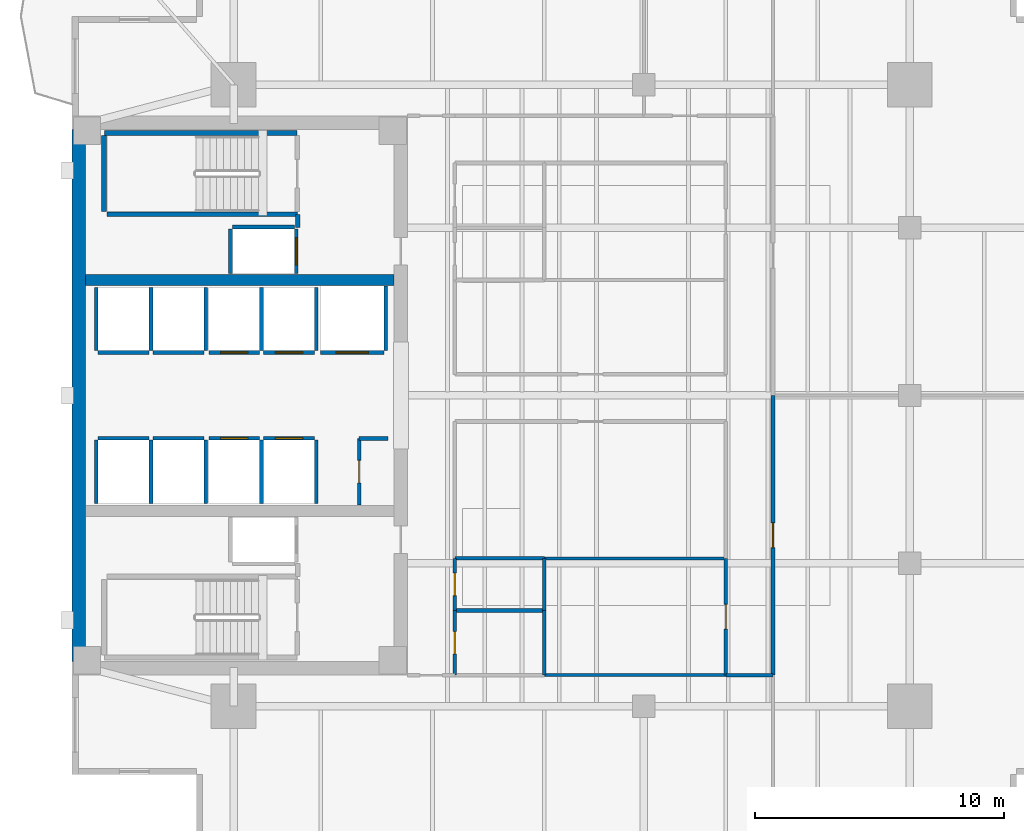
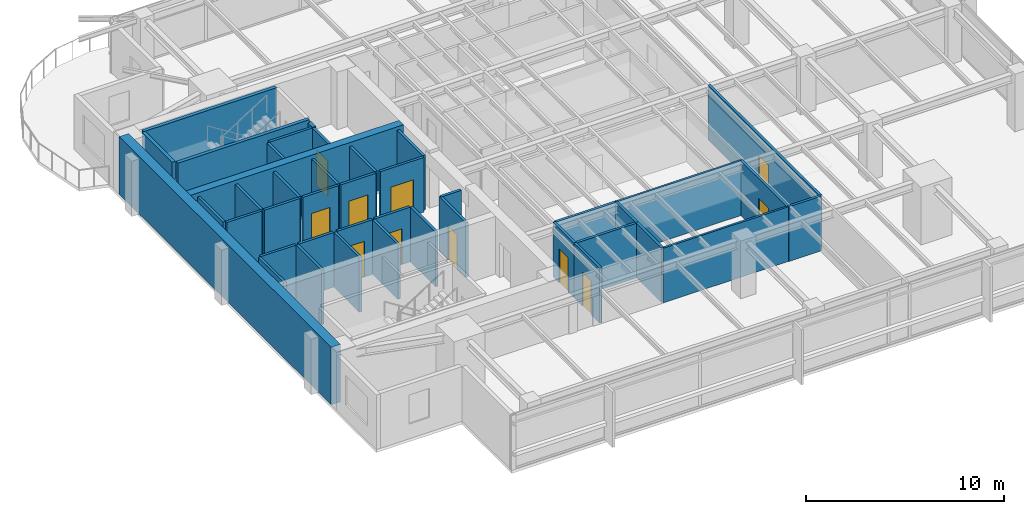
# One storey, part 8 of 14: 42 walls, 11 doors, 11 openings.
"""IFC4 building model written with IfcOpenShell, lengths in metres."""

from ifc_helpers import new_model, si_unit, direction, frame, frame_2d, origin, place, context, subcontext, project, spatial, rectangle, extrude, material, layer, layer_set, type_object, element, fill, save


model = new_model("IFC4")

# Units and contexts
model_context = context("Model", 3, precision=1e-05, world=origin(), true_north=direction((0.0, 1.0)))
body_context = subcontext(model_context, "Body", "Model", "MODEL_VIEW")
ifc_project = project(units=[si_unit("LENGTHUNIT", "METRE"), si_unit("AREAUNIT", "SQUARE_METRE"), si_unit("VOLUMEUNIT", "CUBIC_METRE"), si_unit("PLANEANGLEUNIT", "RADIAN"), si_unit("MASSUNIT", "GRAM", prefix="KILO")], contexts=[model_context])

# Site, building, storey
site_placement = place(None, origin())
site = spatial("IfcSite", under=ifc_project, at=site_placement, CompositionType="ELEMENT")
building_placement = place(site_placement, origin())
building = spatial("IfcBuilding", under=site, at=building_placement, Name="Kinhvarn Gate Tower", CompositionType="ELEMENT")
storey_placement = place(building_placement, frame((0.0, 0.0, 188.050048828125)))
storey = spatial("IfcBuildingStorey", under=building, at=storey_placement, Name="L49", CompositionType="ELEMENT", Elevation=188.050048828125)

# Walls
ifc_material_1 = material(Name="Concrete C50/60", Category="concrete")
ifc_layer_1 = layer(ifc_material_1, 0.449951171875)
ifc_layer_set_1 = layer_set([ifc_layer_1], Name="Concrete C50/60")
wall_type_1 = type_object("IfcWallType", Name="WL-CORE-450", PredefinedType="SHEAR", material=ifc_layer_set_1)
wall_1_placement = place(storey_placement, frame((5.050048828125, 29.89990234375, 0.0), z_axis=(0.0, 0.0, 1.0), x_axis=(1.0, 0.0, 0.0)))
element("IfcWall", 1, at=wall_1_placement, inside=storey, type_object=wall_type_1, Name="Core North Spine Shear Wall L49 450 mm", PredefinedType="SHEAR", context=body_context, shape_type="SweptSolid", body=[
    extrude(rectangle(XDim=12.39990234375, YDim=0.449951171875, at=frame_2d((6.199951171875, 0.0))), origin(), (0.0, 0.0, 1.0), 3.550048828125),
])
ifc_material_2 = material(Name="Concrete C60/75", Category="concrete")
ifc_layer_2 = layer(ifc_material_2, 0.550048828125)
ifc_layer_set_2 = layer_set([ifc_layer_2], Name="Concrete C60/75")
wall_type_2 = type_object("IfcWallType", Name="WL-COREX-550", PredefinedType="SHEAR", material=ifc_layer_set_2)
wall_2_placement = place(storey_placement, frame((4.77490234375, 14.550048828125, 0.0), z_axis=(0.0, 0.0, 1.0), x_axis=(0.0, 1.0, 0.0)))
element("IfcWall", 2, at=wall_2_placement, inside=storey, type_object=wall_type_2, Name="Core West Shear Wall L49 550 mm", PredefinedType="SHEAR", context=body_context, shape_type="SweptSolid", body=[
    extrude(rectangle(XDim=21.39990234375, YDim=0.550048828125, at=frame_2d((10.699951171875, 0.0))), origin(), (0.0, 0.0, 1.0), 3.550048828125),
])
ifc_material_3 = material(Name="Gypsum acoustic partition board")
ifc_layer_3 = layer(ifc_material_3, 0.14990234375)
ifc_layer_set_3 = layer_set([ifc_layer_3], Name="Gypsum acoustic partition board")
wall_type_3 = type_object("IfcWallType", Name="WL-PLM-150", PredefinedType="PLUMBINGWALL", material=ifc_layer_set_3)
wall_3_placement = place(storey_placement, frame((19.89990234375, 16.60009765625, 0.0), z_axis=(0.0, 0.0, 1.0), x_axis=(1.0, 0.0, 0.0)))
element("IfcWall", 3, at=wall_3_placement, inside=storey, type_object=wall_type_3, Name="Interior Partition PLW-150 (L49)", PredefinedType="PLUMBINGWALL", context=body_context, shape_type="SweptSolid", body=[
    extrude(rectangle(XDim=3.60009765625, YDim=0.14990234375, at=frame_2d((1.800048828125, 0.0))), origin(), (0.0, 0.0, 1.0), 3.369873046875),
])
wall_4_placement = place(storey_placement, frame((23.5, 14.0, 0.0), z_axis=(0.0, 0.0, 1.0), x_axis=(0.0, 1.0, 0.0)))
element("IfcWall", 4, at=wall_4_placement, inside=storey, type_object=wall_type_3, Name="Interior Partition PLW-150 (L49)", PredefinedType="PLUMBINGWALL", context=body_context, shape_type="SweptSolid", body=[
    extrude(rectangle(XDim=2.60009765625, YDim=0.14990234375, at=frame_2d((1.300048828125, 0.0))), origin(), (0.0, 0.0, 1.0), 3.369873046875),
])
wall_5_placement = place(storey_placement, frame((23.5, 16.60009765625, 0.0), z_axis=(0.0, 0.0, 1.0), x_axis=(0.0, 1.0, 0.0)))
element("IfcWall", 5, at=wall_5_placement, inside=storey, type_object=wall_type_3, Name="Interior Partition PLW-150 (L49)", PredefinedType="PLUMBINGWALL", context=body_context, shape_type="SweptSolid", body=[
    extrude(rectangle(XDim=2.099853515625, YDim=0.14990234375, at=frame_2d((1.0498046875, 0.0))), origin(), (0.0, 0.0, 1.0), 3.369873046875),
])
wall_6_placement = place(storey_placement, frame((19.89990234375, 18.699951171875, 0.0), z_axis=(0.0, 0.0, 1.0), x_axis=(1.0, 0.0, 0.0)))
element("IfcWall", 6, at=wall_6_placement, inside=storey, type_object=wall_type_3, Name="Interior Partition PLW-150 (L49)", PredefinedType="PLUMBINGWALL", context=body_context, shape_type="SweptSolid", body=[
    extrude(rectangle(XDim=3.60009765625, YDim=0.14990234375, at=frame_2d((1.800048828125, 0.0))), origin(), (0.0, 0.0, 1.0), 3.369873046875),
])

# Wall, opening, door
ifc_layer_4 = layer(ifc_material_3, 0.14990234375)
ifc_layer_set_4 = layer_set([ifc_layer_4], Name="Gypsum acoustic partition board")
wall_type_4 = type_object("IfcWallType", Name="WL-PLM-150F", PredefinedType="PLUMBINGWALL", material=ifc_layer_set_4)
wall_7_placement = place(storey_placement, frame((19.89990234375, 14.0, 0.0), z_axis=(0.0, 0.0, 1.0), x_axis=(0.0, 1.0, 0.0)))
wall_7 = element("IfcWall", 7, at=wall_7_placement, inside=storey, type_object=wall_type_4, Name="Interior Partition PLW-150F (L49)", PredefinedType="PLUMBINGWALL", context=body_context, shape_type="SweptSolid", body=[
    extrude(rectangle(XDim=2.60009765625, YDim=0.14990234375, at=frame_2d((1.300048828125, 0.0))), origin(), (0.0, 0.0, 1.0), 3.369873046875),
])
opening_1_placement = place(wall_7_placement, frame((0.85009765625, 0.0, 0.0)))
opening_1 = element("IfcOpeningElement", 8, at=opening_1_placement, cuts=wall_7, Name="Opening FD-04", PredefinedType="OPENING", context=body_context, shape_type="SweptSolid", body=[
    extrude(rectangle(XDim=0.89990234375, YDim=2.10009765625, at=frame_2d((0.449951171875, 1.050048828125))), frame((0.0, 0.0849609375, 0.0), z_axis=(0.0, -1.0, 0.0), x_axis=(1.0, 0.0, 0.0)), (0.0, 0.0, 1.0), 0.169921875),
])
ifc_material_4 = material(Name="Anodised aluminium AW-6063", Category="aluminium")
door_type_1 = type_object("IfcDoorType", Name="DR-FD-900", OperationType="NOTDEFINED", PredefinedType="DOOR", material=ifc_material_4)
door_1_placement = place(opening_1_placement, origin())
door_1 = element("IfcDoor", 9, at=door_1_placement, inside=storey, type_object=door_type_1, Name="Rated Riser & Service Closet Fire Door 900x2100 mm (L49)", OperationType="SINGLE_SWING_RIGHT", OverallHeight=2.10009765625, OverallWidth=0.89990234375, PredefinedType="DOOR", context=body_context, shape_type="SweptSolid", body=[
    extrude(rectangle(XDim=0.89990234375, YDim=2.10009765625, at=frame_2d((0.449951171875, 1.050048828125))), frame((0.0, 0.02490234375, 0.0), z_axis=(0.0, -1.0, 0.0), x_axis=(1.0, 0.0, 0.0)), (0.0, 0.0, 1.0), 0.050048828125),
])
fill(opening_1, door_1)

wall_8_placement = place(storey_placement, frame((19.89990234375, 16.60009765625, 0.0), z_axis=(0.0, 0.0, 1.0), x_axis=(0.0, 1.0, 0.0)))
wall_8 = element("IfcWall", 10, at=wall_8_placement, inside=storey, type_object=wall_type_4, Name="Interior Partition PLW-150F (L49)", PredefinedType="PLUMBINGWALL", context=body_context, shape_type="SweptSolid", body=[
    extrude(rectangle(XDim=2.099853515625, YDim=0.14990234375, at=frame_2d((1.0498046875, 0.0))), origin(), (0.0, 0.0, 1.0), 3.369873046875),
])
opening_2_placement = place(wall_8_placement, frame((0.60009765625, 0.0, 0.0)))
opening_2 = element("IfcOpeningElement", 11, at=opening_2_placement, cuts=wall_8, Name="Opening FD-04", PredefinedType="OPENING", context=body_context, shape_type="SweptSolid", body=[
    extrude(rectangle(XDim=0.89990234375, YDim=2.10009765625, at=frame_2d((0.449951171875, 1.050048828125))), frame((0.0, 0.0849609375, 0.0), z_axis=(0.0, -1.0, 0.0), x_axis=(1.0, 0.0, 0.0)), (0.0, 0.0, 1.0), 0.169921875),
])
door_2_placement = place(opening_2_placement, origin())
door_2 = element("IfcDoor", 12, at=door_2_placement, inside=storey, type_object=door_type_1, Name="Rated Riser & Service Closet Fire Door 900x2100 mm (L49)", OperationType="SINGLE_SWING_RIGHT", OverallHeight=2.10009765625, OverallWidth=0.89990234375, PredefinedType="DOOR", context=body_context, shape_type="SweptSolid", body=[
    extrude(rectangle(XDim=0.89990234375, YDim=2.10009765625, at=frame_2d((0.449951171875, 1.050048828125))), frame((0.0, 0.02490234375, 0.0), z_axis=(0.0, -1.0, 0.0), x_axis=(1.0, 0.0, 0.0)), (0.0, 0.0, 1.0), 0.050048828125),
])
fill(opening_2, door_2)

# Walls
ifc_layer_5 = layer(ifc_material_3, 0.1201171875)
ifc_layer_set_5 = layer_set([ifc_layer_5], Name="Gypsum acoustic partition board")
wall_type_5 = type_object("IfcWallType", Name="WL-PRT-120", PredefinedType="PARTITIONING", material=ifc_layer_set_5)
for number, where, z_axis, x_axis, name in (
    (13, (23.5, 18.699951171875, 0.0), (0.0, 0.0, 1.0), (1.0, 0.0, 0.0), "Interior Partition PW-120 (L49)"),
    (14, (23.5, 14.0, 0.0), (0.0, 0.0, 1.0), (1.0, 0.0, 0.0), "Interior Partition PW-120 (L49)"),
):
    element("IfcWall", number, at=place(storey_placement, frame(where, z_axis=z_axis, x_axis=x_axis)), inside=storey, type_object=wall_type_5, Name=name, PredefinedType="PARTITIONING", context=body_context, shape_type="SweptSolid", body=[
        extrude(rectangle(XDim=7.300048828125, YDim=0.1201171875, at=frame_2d((3.64990234375, 0.0))), origin(), (0.0, 0.0, 1.0), 3.369873046875),
    ])

# Wall, opening, door
ifc_layer_6 = layer(ifc_material_3, 0.14990234375)
ifc_layer_set_6 = layer_set([ifc_layer_6], Name="Gypsum acoustic partition board")
wall_type_6 = type_object("IfcWallType", Name="WL-PRT-150F", PredefinedType="PARTITIONING", material=ifc_layer_set_6)
wall_9_placement = place(storey_placement, frame((16.050048828125, 20.85009765625, 0.0), z_axis=(0.0, 0.0, 1.0), x_axis=(0.0, 1.0, 0.0)))
wall_9 = element("IfcWall", 15, at=wall_9_placement, inside=storey, type_object=wall_type_6, Name="Interior Partition PW-150F (L49)", PredefinedType="PARTITIONING", context=body_context, shape_type="SweptSolid", body=[
    extrude(rectangle(XDim=2.669921875, YDim=0.14990234375, at=frame_2d((1.3349609375, 0.0))), origin(), (0.0, 0.0, 1.0), 3.369873046875),
])
opening_3_placement = place(wall_9_placement, frame((0.885009765625, 0.0, 0.0)))
opening_3 = element("IfcOpeningElement", 16, at=opening_3_placement, cuts=wall_9, Name="Opening FD-04", PredefinedType="OPENING", context=body_context, shape_type="SweptSolid", body=[
    extrude(rectangle(XDim=0.89990234375, YDim=2.10009765625, at=frame_2d((0.449951171875, 1.050048828125))), frame((0.0, 0.0849609375, 0.0), z_axis=(0.0, -1.0, 0.0), x_axis=(1.0, 0.0, 0.0)), (0.0, 0.0, 1.0), 0.169921875),
])
door_3_placement = place(opening_3_placement, origin())
door_3 = element("IfcDoor", 17, at=door_3_placement, inside=storey, type_object=door_type_1, Name="Rated Riser & Service Closet Fire Door 900x2100 mm (L49)", OperationType="SINGLE_SWING_LEFT", OverallHeight=2.10009765625, OverallWidth=0.89990234375, PredefinedType="DOOR", context=body_context, shape_type="SweptSolid", body=[
    extrude(rectangle(XDim=0.89990234375, YDim=2.10009765625, at=frame_2d((0.449951171875, 1.050048828125))), frame((0.0, 0.02490234375, 0.0), z_axis=(0.0, -1.0, 0.0), x_axis=(1.0, 0.0, 0.0)), (0.0, 0.0, 1.0), 0.050048828125),
])
fill(opening_3, door_3)

# Wall
wall_10_placement = place(storey_placement, frame((16.050048828125, 23.52001953125, 0.0), z_axis=(0.0, 0.0, 1.0), x_axis=(1.0, 0.0, 0.0)))
element("IfcWall", 18, at=wall_10_placement, inside=storey, type_object=wall_type_6, Name="Interior Partition PW-150F (L49)", PredefinedType="PARTITIONING", context=body_context, shape_type="SweptSolid", body=[
    extrude(rectangle(XDim=1.169921875, YDim=0.14990234375, at=frame_2d((0.5849609375, 0.0))), origin(), (0.0, 0.0, 1.0), 3.369873046875),
])

# Wall, opening, door
wall_11_placement = place(storey_placement, frame((30.800048828125, 14.0, 0.0), z_axis=(0.0, 0.0, 1.0), x_axis=(0.0, 1.0, 0.0)))
wall_11 = element("IfcWall", 19, at=wall_11_placement, inside=storey, type_object=wall_type_6, Name="Interior Partition PW-150F (L49)", PredefinedType="PARTITIONING", context=body_context, shape_type="SweptSolid", body=[
    extrude(rectangle(XDim=4.699951171875, YDim=0.14990234375, at=frame_2d((2.35009765625, 0.0))), origin(), (0.0, 0.0, 1.0), 3.369873046875),
])
opening_4_placement = place(wall_11_placement, frame((1.85009765625, 0.0, 0.0)))
opening_4 = element("IfcOpeningElement", 20, at=opening_4_placement, cuts=wall_11, Name="Opening ID-02", PredefinedType="OPENING", context=body_context, shape_type="SweptSolid", body=[
    extrude(rectangle(XDim=1.0, YDim=2.14990234375, at=frame_2d((0.5, 1.074951171875))), frame((0.0, 0.0849609375, 0.0), z_axis=(0.0, -1.0, 0.0), x_axis=(1.0, 0.0, 0.0)), (0.0, 0.0, 1.0), 0.169921875),
])
door_type_2 = type_object("IfcDoorType", Name="DR-INT-1000", OperationType="NOTDEFINED", PredefinedType="DOOR", material=ifc_material_4)
door_4_placement = place(opening_4_placement, origin())
door_4 = element("IfcDoor", 21, at=door_4_placement, inside=storey, type_object=door_type_2, Name="Standard Office & Meeting Room Door 1000x2150 mm (L49)", OperationType="SINGLE_SWING_RIGHT", OverallHeight=2.14990234375, OverallWidth=1.0, PredefinedType="DOOR", context=body_context, shape_type="SweptSolid", body=[
    extrude(rectangle(XDim=1.0, YDim=2.14990234375, at=frame_2d((0.5, 1.074951171875))), frame((0.0, 0.02490234375, 0.0), z_axis=(0.0, -1.0, 0.0), x_axis=(1.0, 0.0, 0.0)), (0.0, 0.0, 1.0), 0.050048828125),
])
fill(opening_4, door_4)

# Wall
wall_12_placement = place(storey_placement, frame((30.800048828125, 14.0, 0.0), z_axis=(0.0, 0.0, 1.0), x_axis=(1.0, 0.0, 0.0)))
element("IfcWall", 22, at=wall_12_placement, inside=storey, type_object=wall_type_6, Name="Interior Partition PW-150F (L49)", PredefinedType="PARTITIONING", context=body_context, shape_type="SweptSolid", body=[
    extrude(rectangle(XDim=1.89990234375, YDim=0.14990234375, at=frame_2d((0.949951171875, 0.0))), origin(), (0.0, 0.0, 1.0), 3.369873046875),
])

# Wall, opening, door
wall_13_placement = place(storey_placement, frame((32.699951171875, 14.0, 0.0), z_axis=(0.0, 0.0, 1.0), x_axis=(0.0, 1.0, 0.0)))
wall_13 = element("IfcWall", 23, at=wall_13_placement, inside=storey, type_object=wall_type_6, Name="Interior Partition PW-150F (L49)", PredefinedType="PARTITIONING", context=body_context, shape_type="SweptSolid", body=[
    extrude(rectangle(XDim=11.25, YDim=0.14990234375, at=frame_2d((5.625, 0.0))), origin(), (0.0, 0.0, 1.0), 3.369873046875),
])
opening_5_placement = place(wall_13_placement, frame((5.125, 0.0, 0.0)))
opening_5 = element("IfcOpeningElement", 24, at=opening_5_placement, cuts=wall_13, Name="Opening ID-02", PredefinedType="OPENING", context=body_context, shape_type="SweptSolid", body=[
    extrude(rectangle(XDim=1.0, YDim=2.14990234375, at=frame_2d((0.5, 1.074951171875))), frame((0.0, 0.0849609375, 0.0), z_axis=(0.0, -1.0, 0.0), x_axis=(1.0, 0.0, 0.0)), (0.0, 0.0, 1.0), 0.169921875),
])
door_5_placement = place(opening_5_placement, origin())
door_5 = element("IfcDoor", 25, at=door_5_placement, inside=storey, type_object=door_type_2, Name="Standard Office & Meeting Room Door 1000x2150 mm (L49)", OperationType="SINGLE_SWING_RIGHT", OverallHeight=2.14990234375, OverallWidth=1.0, PredefinedType="DOOR", context=body_context, shape_type="SweptSolid", body=[
    extrude(rectangle(XDim=1.0, YDim=2.14990234375, at=frame_2d((0.5, 1.074951171875))), frame((0.0, 0.02490234375, 0.0), z_axis=(0.0, -1.0, 0.0), x_axis=(1.0, 0.0, 0.0)), (0.0, 0.0, 1.0), 0.050048828125),
])
fill(opening_5, door_5)

# Walls
ifc_layer_7 = layer(ifc_material_3, 0.199951171875)
ifc_layer_set_7 = layer_set([ifc_layer_7], Name="Gypsum acoustic partition board")
wall_type_7 = type_object("IfcWallType", Name="WL-PRT-200", PredefinedType="PARTITIONING", material=ifc_layer_set_7)
wall_14_placement = place(storey_placement, frame((13.580078125, 32.0, 0.0), z_axis=(0.0, 0.0, 1.0), x_axis=(0.0, 1.0, 0.0)))
element("IfcWall", 26, at=wall_14_placement, inside=storey, type_object=wall_type_7, Name="Interior Partition PW-200 (L49)", PredefinedType="PARTITIONING", context=body_context, shape_type="SweptSolid", body=[
    extrude(rectangle(XDim=0.5400390625, YDim=0.199951171875, at=frame_2d((0.27001953125, 0.0))), origin(), (0.0, 0.0, 1.0), 3.369873046875),
])
ifc_layer_8 = layer(ifc_material_3, 0.14990234375)
ifc_layer_set_8 = layer_set([ifc_layer_8], Name="Gypsum acoustic partition board")
wall_type_8 = type_object("IfcWallType", Name="WL-SHF-150", PredefinedType="PARTITIONING", material=ifc_layer_set_8)
wall_15_placement = place(storey_placement, frame((5.550048828125, 23.52490234375, 0.0), z_axis=(0.0, 0.0, 1.0), x_axis=(1.0, 0.0, 0.0)))
element("IfcWall", 27, at=wall_15_placement, inside=storey, type_object=wall_type_8, Name="Elevator PM-05 Landing Wall (L49)", PredefinedType="PARTITIONING", context=body_context, shape_type="SweptSolid", body=[
    extrude(rectangle(XDim=2.050048828125, YDim=0.14990234375, at=frame_2d((1.02490234375, 0.0))), origin(), (0.0, 0.0, 1.0), 3.369873046875),
])
for number, where, z_axis, x_axis, name in (
    (28, (5.47509765625, 20.89990234375, 0.0), (0.0, 0.0, 1.0), (0.0, 1.0, 0.0), "Elevator PM-05 Hoistway Wall W (L49)"),
    (29, (7.675048828125, 20.89990234375, 0.0), (0.0, 0.0, 1.0), (0.0, 1.0, 0.0), "Elevator PM-05 Hoistway Wall E (L49)"),
):
    element("IfcWall", number, at=place(storey_placement, frame(where, z_axis=z_axis, x_axis=x_axis)), inside=storey, type_object=wall_type_8, Name=name, PredefinedType="PARTITIONING", context=body_context, shape_type="SweptSolid", body=[
        extrude(rectangle(XDim=2.550048828125, YDim=0.14990234375, at=frame_2d((1.27490234375, 0.0))), origin(), (0.0, 0.0, 1.0), 3.369873046875),
    ])
wall_16_placement = place(storey_placement, frame((7.75, 23.52490234375, 0.0), z_axis=(0.0, 0.0, 1.0), x_axis=(1.0, 0.0, 0.0)))
element("IfcWall", 30, at=wall_16_placement, inside=storey, type_object=wall_type_8, Name="Elevator PM-06 Landing Wall (L49)", PredefinedType="PARTITIONING", context=body_context, shape_type="SweptSolid", body=[
    extrude(rectangle(XDim=2.050048828125, YDim=0.14990234375, at=frame_2d((1.02490234375, 0.0))), origin(), (0.0, 0.0, 1.0), 3.369873046875),
])
wall_17_placement = place(storey_placement, frame((9.875, 20.89990234375, 0.0), z_axis=(0.0, 0.0, 1.0), x_axis=(0.0, 1.0, 0.0)))
element("IfcWall", 31, at=wall_17_placement, inside=storey, type_object=wall_type_8, Name="Elevator PM-06 Hoistway Wall E (L49)", PredefinedType="PARTITIONING", context=body_context, shape_type="SweptSolid", body=[
    extrude(rectangle(XDim=2.550048828125, YDim=0.14990234375, at=frame_2d((1.27490234375, 0.0))), origin(), (0.0, 0.0, 1.0), 3.369873046875),
])
wall_18_placement = place(storey_placement, frame((5.550048828125, 26.97509765625, 0.0), z_axis=(0.0, 0.0, 1.0), x_axis=(1.0, 0.0, 0.0)))
element("IfcWall", 32, at=wall_18_placement, inside=storey, type_object=wall_type_8, Name="Elevator PM-07 Landing Wall (L49)", PredefinedType="PARTITIONING", context=body_context, shape_type="SweptSolid", body=[
    extrude(rectangle(XDim=2.050048828125, YDim=0.14990234375, at=frame_2d((1.02490234375, 0.0))), origin(), (0.0, 0.0, 1.0), 3.369873046875),
])
for number, where, z_axis, x_axis, name in (
    (33, (5.47509765625, 27.050048828125, 0.0), (0.0, 0.0, 1.0), (0.0, 1.0, 0.0), "Elevator PM-07 Hoistway Wall W (L49)"),
    (34, (7.675048828125, 27.050048828125, 0.0), (0.0, 0.0, 1.0), (0.0, 1.0, 0.0), "Elevator PM-07 Hoistway Wall E (L49)"),
):
    element("IfcWall", number, at=place(storey_placement, frame(where, z_axis=z_axis, x_axis=x_axis)), inside=storey, type_object=wall_type_8, Name=name, PredefinedType="PARTITIONING", context=body_context, shape_type="SweptSolid", body=[
        extrude(rectangle(XDim=2.550048828125, YDim=0.14990234375, at=frame_2d((1.27490234375, 0.0))), origin(), (0.0, 0.0, 1.0), 3.369873046875),
    ])
wall_19_placement = place(storey_placement, frame((7.75, 26.97509765625, 0.0), z_axis=(0.0, 0.0, 1.0), x_axis=(1.0, 0.0, 0.0)))
element("IfcWall", 35, at=wall_19_placement, inside=storey, type_object=wall_type_8, Name="Elevator PM-08 Landing Wall (L49)", PredefinedType="PARTITIONING", context=body_context, shape_type="SweptSolid", body=[
    extrude(rectangle(XDim=2.050048828125, YDim=0.14990234375, at=frame_2d((1.02490234375, 0.0))), origin(), (0.0, 0.0, 1.0), 3.369873046875),
])
wall_20_placement = place(storey_placement, frame((9.875, 27.050048828125, 0.0), z_axis=(0.0, 0.0, 1.0), x_axis=(0.0, 1.0, 0.0)))
element("IfcWall", 36, at=wall_20_placement, inside=storey, type_object=wall_type_8, Name="Elevator PM-08 Hoistway Wall E (L49)", PredefinedType="PARTITIONING", context=body_context, shape_type="SweptSolid", body=[
    extrude(rectangle(XDim=2.550048828125, YDim=0.14990234375, at=frame_2d((1.27490234375, 0.0))), origin(), (0.0, 0.0, 1.0), 3.369873046875),
])

# Wall, opening, door
wall_21_placement = place(storey_placement, frame((10.0, 23.52490234375, 0.0), z_axis=(0.0, 0.0, 1.0), x_axis=(1.0, 0.0, 0.0)))
wall_21 = element("IfcWall", 37, at=wall_21_placement, inside=storey, type_object=wall_type_8, Name="Elevator PH-09 Landing Wall (L49)", PredefinedType="PARTITIONING", context=body_context, shape_type="SweptSolid", body=[
    extrude(rectangle(XDim=2.050048828125, YDim=0.14990234375, at=frame_2d((1.02490234375, 0.0))), origin(), (0.0, 0.0, 1.0), 3.369873046875),
])
opening_6_placement = place(wall_21_placement, frame((0.47509765625, 0.0, 0.0)))
opening_6 = element("IfcOpeningElement", 38, at=opening_6_placement, cuts=wall_21, Name="Opening LD-01", PredefinedType="OPENING", context=body_context, shape_type="SweptSolid", body=[
    extrude(rectangle(XDim=1.10009765625, YDim=2.199951171875, at=frame_2d((0.550048828125, 1.10009765625))), frame((0.0, 0.0849609375, 0.0), z_axis=(0.0, -1.0, 0.0), x_axis=(1.0, 0.0, 0.0)), (0.0, 0.0, 1.0), 0.169921875),
])
door_type_3 = type_object("IfcDoorType", Name="DR-LND-PAS", OperationType="NOTDEFINED", PredefinedType="DOOR", material=ifc_material_4)
door_6_placement = place(opening_6_placement, origin())
door_6 = element("IfcDoor", 39, at=door_6_placement, inside=storey, type_object=door_type_3, Name="Elevator PH-09 Sliding Landing Door (L49)", OperationType="DOUBLE_DOOR_SLIDING", OverallHeight=2.199951171875, OverallWidth=1.10009765625, PredefinedType="DOOR", context=body_context, shape_type="SweptSolid", body=[
    extrude(rectangle(XDim=1.10009765625, YDim=2.199951171875, at=frame_2d((0.550048828125, 1.10009765625))), frame((0.0, 0.02490234375, 0.0), z_axis=(0.0, -1.0, 0.0), x_axis=(1.0, 0.0, 0.0)), (0.0, 0.0, 1.0), 0.050048828125),
])
fill(opening_6, door_6)

# Wall
wall_22_placement = place(storey_placement, frame((12.125, 20.89990234375, 0.0), z_axis=(0.0, 0.0, 1.0), x_axis=(0.0, 1.0, 0.0)))
element("IfcWall", 40, at=wall_22_placement, inside=storey, type_object=wall_type_8, Name="Elevator PH-09 Hoistway Wall E (L49)", PredefinedType="PARTITIONING", context=body_context, shape_type="SweptSolid", body=[
    extrude(rectangle(XDim=2.550048828125, YDim=0.14990234375, at=frame_2d((1.27490234375, 0.0))), origin(), (0.0, 0.0, 1.0), 3.369873046875),
])

# Wall, opening, door
wall_23_placement = place(storey_placement, frame((12.199951171875, 23.52490234375, 0.0), z_axis=(0.0, 0.0, 1.0), x_axis=(1.0, 0.0, 0.0)))
wall_23 = element("IfcWall", 41, at=wall_23_placement, inside=storey, type_object=wall_type_8, Name="Elevator PH-10 Landing Wall (L49)", PredefinedType="PARTITIONING", context=body_context, shape_type="SweptSolid", body=[
    extrude(rectangle(XDim=2.050048828125, YDim=0.14990234375, at=frame_2d((1.02490234375, 0.0))), origin(), (0.0, 0.0, 1.0), 3.369873046875),
])
opening_7_placement = place(wall_23_placement, frame((0.47509765625, 0.0, 0.0)))
opening_7 = element("IfcOpeningElement", 42, at=opening_7_placement, cuts=wall_23, Name="Opening LD-01", PredefinedType="OPENING", context=body_context, shape_type="SweptSolid", body=[
    extrude(rectangle(XDim=1.10009765625, YDim=2.199951171875, at=frame_2d((0.550048828125, 1.10009765625))), frame((0.0, 0.0849609375, 0.0), z_axis=(0.0, -1.0, 0.0), x_axis=(1.0, 0.0, 0.0)), (0.0, 0.0, 1.0), 0.169921875),
])
door_7_placement = place(opening_7_placement, origin())
door_7 = element("IfcDoor", 43, at=door_7_placement, inside=storey, type_object=door_type_3, Name="Elevator PH-10 Sliding Landing Door (L49)", OperationType="DOUBLE_DOOR_SLIDING", OverallHeight=2.199951171875, OverallWidth=1.10009765625, PredefinedType="DOOR", context=body_context, shape_type="SweptSolid", body=[
    extrude(rectangle(XDim=1.10009765625, YDim=2.199951171875, at=frame_2d((0.550048828125, 1.10009765625))), frame((0.0, 0.02490234375, 0.0), z_axis=(0.0, -1.0, 0.0), x_axis=(1.0, 0.0, 0.0)), (0.0, 0.0, 1.0), 0.050048828125),
])
fill(opening_7, door_7)

# Wall
wall_24_placement = place(storey_placement, frame((14.324951171875, 20.89990234375, 0.0), z_axis=(0.0, 0.0, 1.0), x_axis=(0.0, 1.0, 0.0)))
element("IfcWall", 44, at=wall_24_placement, inside=storey, type_object=wall_type_8, Name="Elevator PH-10 Hoistway Wall E (L49)", PredefinedType="PARTITIONING", context=body_context, shape_type="SweptSolid", body=[
    extrude(rectangle(XDim=2.550048828125, YDim=0.14990234375, at=frame_2d((1.27490234375, 0.0))), origin(), (0.0, 0.0, 1.0), 3.369873046875),
])

# Wall, opening, door
wall_25_placement = place(storey_placement, frame((10.0, 26.97509765625, 0.0), z_axis=(0.0, 0.0, 1.0), x_axis=(1.0, 0.0, 0.0)))
wall_25 = element("IfcWall", 45, at=wall_25_placement, inside=storey, type_object=wall_type_8, Name="Elevator PH-11 Landing Wall (L49)", PredefinedType="PARTITIONING", context=body_context, shape_type="SweptSolid", body=[
    extrude(rectangle(XDim=2.050048828125, YDim=0.14990234375, at=frame_2d((1.02490234375, 0.0))), origin(), (0.0, 0.0, 1.0), 3.369873046875),
])
opening_8_placement = place(wall_25_placement, frame((0.47509765625, 0.0, 0.0)))
opening_8 = element("IfcOpeningElement", 46, at=opening_8_placement, cuts=wall_25, Name="Opening LD-01", PredefinedType="OPENING", context=body_context, shape_type="SweptSolid", body=[
    extrude(rectangle(XDim=1.10009765625, YDim=2.199951171875, at=frame_2d((0.550048828125, 1.10009765625))), frame((0.0, 0.0849609375, 0.0), z_axis=(0.0, -1.0, 0.0), x_axis=(1.0, 0.0, 0.0)), (0.0, 0.0, 1.0), 0.169921875),
])
door_8_placement = place(opening_8_placement, origin())
door_8 = element("IfcDoor", 47, at=door_8_placement, inside=storey, type_object=door_type_3, Name="Elevator PH-11 Sliding Landing Door (L49)", OperationType="DOUBLE_DOOR_SLIDING", OverallHeight=2.199951171875, OverallWidth=1.10009765625, PredefinedType="DOOR", context=body_context, shape_type="SweptSolid", body=[
    extrude(rectangle(XDim=1.10009765625, YDim=2.199951171875, at=frame_2d((0.550048828125, 1.10009765625))), frame((0.0, 0.02490234375, 0.0), z_axis=(0.0, -1.0, 0.0), x_axis=(1.0, 0.0, 0.0)), (0.0, 0.0, 1.0), 0.050048828125),
])
fill(opening_8, door_8)

# Wall
wall_26_placement = place(storey_placement, frame((12.125, 27.050048828125, 0.0), z_axis=(0.0, 0.0, 1.0), x_axis=(0.0, 1.0, 0.0)))
element("IfcWall", 48, at=wall_26_placement, inside=storey, type_object=wall_type_8, Name="Elevator PH-11 Hoistway Wall E (L49)", PredefinedType="PARTITIONING", context=body_context, shape_type="SweptSolid", body=[
    extrude(rectangle(XDim=2.550048828125, YDim=0.14990234375, at=frame_2d((1.27490234375, 0.0))), origin(), (0.0, 0.0, 1.0), 3.369873046875),
])

# Wall, opening, door
wall_27_placement = place(storey_placement, frame((12.199951171875, 26.97509765625, 0.0), z_axis=(0.0, 0.0, 1.0), x_axis=(1.0, 0.0, 0.0)))
wall_27 = element("IfcWall", 49, at=wall_27_placement, inside=storey, type_object=wall_type_8, Name="Elevator PH-12 Landing Wall (L49)", PredefinedType="PARTITIONING", context=body_context, shape_type="SweptSolid", body=[
    extrude(rectangle(XDim=2.050048828125, YDim=0.14990234375, at=frame_2d((1.02490234375, 0.0))), origin(), (0.0, 0.0, 1.0), 3.369873046875),
])
opening_9_placement = place(wall_27_placement, frame((0.47509765625, 0.0, 0.0)))
opening_9 = element("IfcOpeningElement", 50, at=opening_9_placement, cuts=wall_27, Name="Opening LD-01", PredefinedType="OPENING", context=body_context, shape_type="SweptSolid", body=[
    extrude(rectangle(XDim=1.10009765625, YDim=2.199951171875, at=frame_2d((0.550048828125, 1.10009765625))), frame((0.0, 0.0849609375, 0.0), z_axis=(0.0, -1.0, 0.0), x_axis=(1.0, 0.0, 0.0)), (0.0, 0.0, 1.0), 0.169921875),
])
door_9_placement = place(opening_9_placement, origin())
door_9 = element("IfcDoor", 51, at=door_9_placement, inside=storey, type_object=door_type_3, Name="Elevator PH-12 Sliding Landing Door (L49)", OperationType="DOUBLE_DOOR_SLIDING", OverallHeight=2.199951171875, OverallWidth=1.10009765625, PredefinedType="DOOR", context=body_context, shape_type="SweptSolid", body=[
    extrude(rectangle(XDim=1.10009765625, YDim=2.199951171875, at=frame_2d((0.550048828125, 1.10009765625))), frame((0.0, 0.02490234375, 0.0), z_axis=(0.0, -1.0, 0.0), x_axis=(1.0, 0.0, 0.0)), (0.0, 0.0, 1.0), 0.050048828125),
])
fill(opening_9, door_9)

# Wall
wall_28_placement = place(storey_placement, frame((14.324951171875, 27.050048828125, 0.0), z_axis=(0.0, 0.0, 1.0), x_axis=(0.0, 1.0, 0.0)))
element("IfcWall", 52, at=wall_28_placement, inside=storey, type_object=wall_type_8, Name="Elevator PH-12 Hoistway Wall E (L49)", PredefinedType="PARTITIONING", context=body_context, shape_type="SweptSolid", body=[
    extrude(rectangle(XDim=2.550048828125, YDim=0.14990234375, at=frame_2d((1.27490234375, 0.0))), origin(), (0.0, 0.0, 1.0), 3.369873046875),
])

# Wall, opening, door
wall_29_placement = place(storey_placement, frame((14.5, 26.97509765625, 0.0), z_axis=(0.0, 0.0, 1.0), x_axis=(1.0, 0.0, 0.0)))
wall_29 = element("IfcWall", 53, at=wall_29_placement, inside=storey, type_object=wall_type_8, Name="Elevator SV-01 Landing Wall (L49)", PredefinedType="PARTITIONING", context=body_context, shape_type="SweptSolid", body=[
    extrude(rectangle(XDim=2.550048828125, YDim=0.14990234375, at=frame_2d((1.27490234375, 0.0))), origin(), (0.0, 0.0, 1.0), 3.369873046875),
])
opening_10_placement = place(wall_29_placement, frame((0.625, 0.0, 0.0)))
opening_10 = element("IfcOpeningElement", 54, at=opening_10_placement, cuts=wall_29, Name="Opening LD-02", PredefinedType="OPENING", context=body_context, shape_type="SweptSolid", body=[
    extrude(rectangle(XDim=1.300048828125, YDim=2.199951171875, at=frame_2d((0.64990234375, 1.10009765625))), frame((0.0, 0.0849609375, 0.0), z_axis=(0.0, -1.0, 0.0), x_axis=(1.0, 0.0, 0.0)), (0.0, 0.0, 1.0), 0.169921875),
])
door_type_4 = type_object("IfcDoorType", Name="DR-LND-SRV", OperationType="NOTDEFINED", PredefinedType="DOOR", material=ifc_material_4)
door_10_placement = place(opening_10_placement, origin())
door_10 = element("IfcDoor", 55, at=door_10_placement, inside=storey, type_object=door_type_4, Name="Elevator SV-01 Sliding Landing Door (L49)", OperationType="DOUBLE_DOOR_SLIDING", OverallHeight=2.199951171875, OverallWidth=1.300048828125, PredefinedType="DOOR", context=body_context, shape_type="SweptSolid", body=[
    extrude(rectangle(XDim=1.300048828125, YDim=2.199951171875, at=frame_2d((0.64990234375, 1.10009765625))), frame((0.0, 0.02490234375, 0.0), z_axis=(0.0, -1.0, 0.0), x_axis=(1.0, 0.0, 0.0)), (0.0, 0.0, 1.0), 0.050048828125),
])
fill(opening_10, door_10)

# Walls
wall_30_placement = place(storey_placement, frame((17.125, 27.050048828125, 0.0), z_axis=(0.0, 0.0, 1.0), x_axis=(0.0, 1.0, 0.0)))
element("IfcWall", 56, at=wall_30_placement, inside=storey, type_object=wall_type_8, Name="Elevator SV-01 Hoistway Wall E (L49)", PredefinedType="PARTITIONING", context=body_context, shape_type="SweptSolid", body=[
    extrude(rectangle(XDim=2.599853515625, YDim=0.14990234375, at=frame_2d((1.2998046875, 0.0))), origin(), (0.0, 0.0, 1.0), 3.369873046875),
])
wall_31_placement = place(storey_placement, frame((10.949951171875, 32.02490234375, 0.0), z_axis=(0.0, 0.0, 1.0), x_axis=(1.0, 0.0, 0.0)))
element("IfcWall", 57, at=wall_31_placement, inside=storey, type_object=wall_type_8, Name="Elevator FF2 Hoistway Wall N (L49)", PredefinedType="PARTITIONING", context=body_context, shape_type="SweptSolid", body=[
    extrude(rectangle(XDim=2.5, YDim=0.14990234375, at=frame_2d((1.25, 0.0))), origin(), (0.0, 0.0, 1.0), 3.369873046875),
])
wall_32_placement = place(storey_placement, frame((10.875, 30.14990234375, 0.0), z_axis=(0.0, 0.0, 1.0), x_axis=(0.0, 1.0, 0.0)))
element("IfcWall", 58, at=wall_32_placement, inside=storey, type_object=wall_type_8, Name="Elevator FF2 Hoistway Wall W (L49)", PredefinedType="PARTITIONING", context=body_context, shape_type="SweptSolid", body=[
    extrude(rectangle(XDim=1.800048828125, YDim=0.14990234375, at=frame_2d((0.89990234375, 0.0))), origin(), (0.0, 0.0, 1.0), 3.369873046875),
])

# Wall, opening, door
wall_33_placement = place(storey_placement, frame((13.52490234375, 30.14990234375, 0.0), z_axis=(0.0, 0.0, 1.0), x_axis=(0.0, 1.0, 0.0)))
wall_33 = element("IfcWall", 59, at=wall_33_placement, inside=storey, type_object=wall_type_8, Name="Elevator FF2 Landing Wall (L49)", PredefinedType="PARTITIONING", context=body_context, shape_type="SweptSolid", body=[
    extrude(rectangle(XDim=1.800048828125, YDim=0.14990234375, at=frame_2d((0.89990234375, 0.0))), origin(), (0.0, 0.0, 1.0), 3.369873046875),
])
opening_11_placement = place(wall_33_placement, frame((0.35009765625, 0.0, 0.0)))
opening_11 = element("IfcOpeningElement", 60, at=opening_11_placement, cuts=wall_33, Name="Opening LD-03", PredefinedType="OPENING", context=body_context, shape_type="SweptSolid", body=[
    extrude(rectangle(XDim=1.10009765625, YDim=2.199951171875, at=frame_2d((0.550048828125, 1.10009765625))), frame((0.0, 0.0849609375, 0.0), z_axis=(0.0, -1.0, 0.0), x_axis=(1.0, 0.0, 0.0)), (0.0, 0.0, 1.0), 0.169921875),
])
door_type_5 = type_object("IfcDoorType", Name="DR-LND-FF", OperationType="NOTDEFINED", PredefinedType="DOOR", material=ifc_material_4)
door_11_placement = place(opening_11_placement, origin())
door_11 = element("IfcDoor", 61, at=door_11_placement, inside=storey, type_object=door_type_5, Name="Elevator FF2 Sliding Landing Door (L49)", OperationType="DOUBLE_DOOR_SLIDING", OverallHeight=2.199951171875, OverallWidth=1.10009765625, PredefinedType="DOOR", context=body_context, shape_type="SweptSolid", body=[
    extrude(rectangle(XDim=1.10009765625, YDim=2.199951171875, at=frame_2d((0.550048828125, 1.10009765625))), frame((0.0, 0.02490234375, 0.0), z_axis=(0.0, -1.0, 0.0), x_axis=(1.0, 0.0, 0.0)), (0.0, 0.0, 1.0), 0.050048828125),
])
fill(opening_11, door_11)

# Walls
ifc_material_5 = material(Name="Concrete C40/50", Category="concrete")
ifc_layer_9 = layer(ifc_material_5, 0.199951171875)
ifc_layer_set_9 = layer_set([ifc_layer_9], Name="Concrete C40/50")
wall_type_9 = type_object("IfcWallType", Name="WL-SHF-200", PredefinedType="SOLIDWALL", material=ifc_layer_set_9)
wall_34_placement = place(storey_placement, frame((5.800048828125, 35.800048828125, 0.0), z_axis=(0.0, 0.0, 1.0), x_axis=(1.0, 0.0, 0.0)))
element("IfcWall", 62, at=wall_34_placement, inside=storey, type_object=wall_type_9, Name="Stair ST2 North Shaft Wall (L49)", PredefinedType="SOLIDWALL", context=body_context, shape_type="SweptSolid", body=[
    extrude(rectangle(XDim=7.75, YDim=0.199951171875, at=frame_2d((3.875, 0.0))), origin(), (0.0, 0.0, 1.0), 3.550048828125),
])
wall_35_placement = place(storey_placement, frame((5.7900390625, 32.64990234375, 0.0), z_axis=(0.0, 0.0, 1.0), x_axis=(0.0, 1.0, 0.0)))
element("IfcWall", 63, at=wall_35_placement, inside=storey, type_object=wall_type_9, Name="Stair ST2 West Shaft Wall (L49)", PredefinedType="SOLIDWALL", context=body_context, shape_type="SweptSolid", body=[
    extrude(rectangle(XDim=3.050048828125, YDim=0.199951171875, at=frame_2d((1.52490234375, 0.0))), origin(), (0.0, 0.0, 1.0), 3.550048828125),
])
wall_36_placement = place(storey_placement, frame((5.89990234375, 32.5400390625, 0.0), z_axis=(0.0, 0.0, 1.0), x_axis=(1.0, 0.0, 0.0)))
element("IfcWall", 64, at=wall_36_placement, inside=storey, type_object=wall_type_9, Name="Stair ST2 South Shaft Wall (L49)", PredefinedType="SOLIDWALL", context=body_context, shape_type="SweptSolid", body=[
    extrude(rectangle(XDim=7.66015625, YDim=0.199951171875, at=frame_2d((3.830078125, 0.0))), origin(), (0.0, 0.0, 1.0), 3.550048828125),
])

save(model, "model.ifc")
